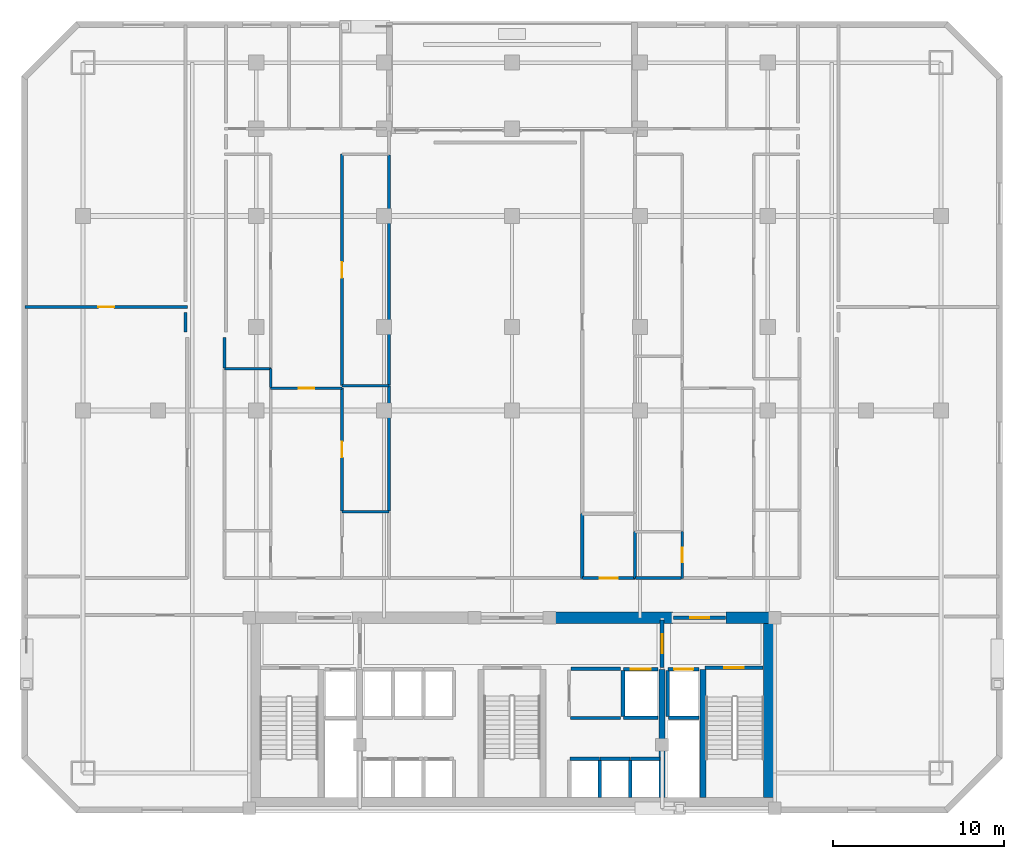
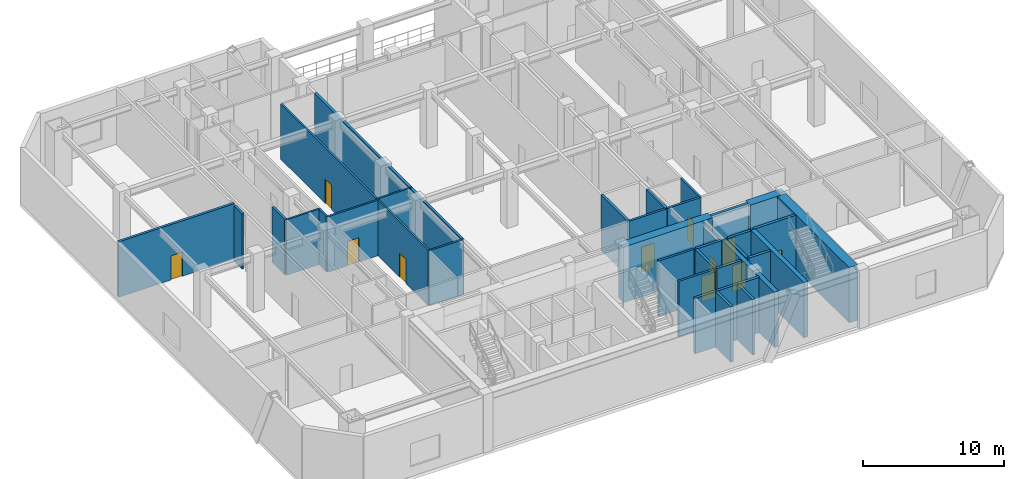
# One storey, part 8 of 12: 38 walls, 11 doors, 11 openings.
"""IFC4 building model written with IfcOpenShell, lengths in metres."""

from ifc_helpers import new_model, si_unit, direction, frame, frame_2d, origin, place, context, subcontext, project, spatial, rectangle, extrude, material, layer, layer_set, type_object, element, fill, save


model = new_model("IFC4")

# Units and contexts
model_context = context("Model", 3, precision=1e-05, world=origin(), true_north=direction((0.0, 1.0)))
body_context = subcontext(model_context, "Body", "Model", "MODEL_VIEW")
ifc_project = project(units=[si_unit("LENGTHUNIT", "METRE"), si_unit("AREAUNIT", "SQUARE_METRE"), si_unit("VOLUMEUNIT", "CUBIC_METRE"), si_unit("PLANEANGLEUNIT", "RADIAN"), si_unit("MASSUNIT", "GRAM", prefix="KILO")], contexts=[model_context])

# Site, building, storey
site_placement = place(None, origin())
site = spatial("IfcSite", under=ifc_project, at=site_placement, CompositionType="ELEMENT")
building_placement = place(site_placement, origin())
building = spatial("IfcBuilding", under=site, at=building_placement, Name="Ventersveld Concourse Tower", CompositionType="ELEMENT")
storey_placement = place(building_placement, frame((0.0, 0.0, 76.0)))
storey = spatial("IfcBuildingStorey", under=building, at=storey_placement, Name="L18", CompositionType="ELEMENT", Elevation=76.0)

# Walls
ifc_material_1 = material(Name="Concrete C60/75", Category="concrete")
ifc_layer_1 = layer(ifc_material_1, 0.35009765625)
ifc_layer_set_1 = layer_set([ifc_layer_1], Name="Concrete C60/75")
wall_type_1 = type_object("IfcWallType", Name="WL-CORE-350L", PredefinedType="SHEAR", material=ifc_layer_set_1)
for number, where, z_axis, x_axis, name in (
    (1, (37.550048828125, 0.919921875, 0.0), (0.0, 0.0, 1.0), (0.0, 1.0, 0.0), "L18 Core Internal Shear Web W-SVL-W"),
    (2, (39.9599609375, 0.919921875, 0.0), (0.0, 0.0, 1.0), (0.0, 1.0, 0.0), "L18 Core Internal Shear Web W-ST2-W"),
):
    element("IfcWall", number, at=place(storey_placement, frame(where, z_axis=z_axis, x_axis=x_axis)), inside=storey, type_object=wall_type_1, Name=name, PredefinedType="SHEAR", context=body_context, shape_type="SweptSolid", body=[
        extrude(rectangle(XDim=7.5, YDim=0.35009765625, at=frame_2d((3.75, 0.0))), origin(), (0.0, 0.0, 1.0), 4.800048828125),
    ])
ifc_layer_2 = layer(ifc_material_1, 0.699951171875)
ifc_layer_set_2 = layer_set([ifc_layer_2], Name="Concrete C60/75")
wall_type_2 = type_object("IfcWallType", Name="WL-CORE-700", PredefinedType="SHEAR", material=ifc_layer_set_2)
wall_1_placement = place(storey_placement, frame((43.85009765625, 0.919921875, 0.0), z_axis=(0.0, 0.0, 1.0), x_axis=(0.0, 1.0, 0.0)))
element("IfcWall", 3, at=wall_1_placement, inside=storey, type_object=wall_type_2, Name="L18 Rear Core East Shear Wall", PredefinedType="SHEAR", context=body_context, shape_type="SweptSolid", body=[
    extrude(rectangle(XDim=10.530029296875, YDim=0.699951171875, at=frame_2d((5.26513671875, 0.0))), origin(), (0.0, 0.0, 1.0), 4.800048828125),
])
wall_2_placement = place(storey_placement, frame((30.89990234375, 11.449951171875, 0.0), z_axis=(0.0, 0.0, 1.0), x_axis=(1.0, 0.0, 0.0)))
element("IfcWall", 4, at=wall_2_placement, inside=storey, type_object=wall_type_2, Name="L18 Rear Core North Shear Wall NMR", PredefinedType="SHEAR", context=body_context, shape_type="SweptSolid", body=[
    extrude(rectangle(XDim=7.300048828125, YDim=0.699951171875, at=frame_2d((3.64990234375, 0.0))), origin(), (0.0, 0.0, 1.0), 4.800048828125),
])
wall_3_placement = place(storey_placement, frame((41.300048828125, 11.449951171875, 0.0), z_axis=(0.0, 0.0, 1.0), x_axis=(1.0, 0.0, 0.0)))
element("IfcWall", 5, at=wall_3_placement, inside=storey, type_object=wall_type_2, Name="L18 Rear Core North Shear Wall NE", PredefinedType="SHEAR", context=body_context, shape_type="SweptSolid", body=[
    extrude(rectangle(XDim=2.949951171875, YDim=0.699951171875, at=frame_2d((1.47509765625, 0.0))), origin(), (0.0, 0.0, 1.0), 4.800048828125),
])
ifc_material_2 = material(Name="Fire-rated autoclaved aerated masonry blockwork", Category="masonry")
ifc_layer_3 = layer(ifc_material_2, 0.179931640625)
ifc_layer_set_3 = layer_set([ifc_layer_3], Name="Fire-rated autoclaved aerated masonry blockwork")
wall_type_3 = type_object("IfcWallType", Name="WL-CORR-180", PredefinedType="PARTITIONING", material=ifc_layer_set_3)
wall_4_placement = place(storey_placement, frame((32.219970703125, 8.4599609375, 0.0), z_axis=(0.0, 0.0, 1.0), x_axis=(1.0, 0.0, 0.0)))
element("IfcWall", 6, at=wall_4_placement, inside=storey, type_object=wall_type_3, Name="L18 Core Top Wall SP-L18-CBAY1", PredefinedType="PARTITIONING", context=body_context, shape_type="SweptSolid", body=[
    extrude(rectangle(XDim=2.880126953125, YDim=0.179931640625, at=frame_2d((1.43994140625, 0.0))), origin(), (0.0, 0.0, 1.0), 4.800048828125),
])
wall_5_placement = place(storey_placement, frame((32.179931640625, 5.570068359375, 0.0), z_axis=(0.0, 0.0, 1.0), x_axis=(1.0, 0.0, 0.0)))
element("IfcWall", 7, at=wall_5_placement, inside=storey, type_object=wall_type_3, Name="L18 Core Bot Wall SP-L18-CBAY1", PredefinedType="PARTITIONING", context=body_context, shape_type="SweptSolid", body=[
    extrude(rectangle(XDim=2.920166015625, YDim=0.179931640625, at=frame_2d((1.4599609375, 0.0))), origin(), (0.0, 0.0, 1.0), 4.800048828125),
])

# Wall, opening, door
wall_6_placement = place(storey_placement, frame((32.89501953125, 13.77001953125, 0.0), z_axis=(0.0, 0.0, 1.0), x_axis=(1.0, 0.0, 0.0)))
wall_6 = element("IfcWall", 8, at=wall_6_placement, inside=storey, type_object=wall_type_3, Name="L18 Interior Partition SP-L18-COR-SP-L18-SGAWC", PredefinedType="PARTITIONING", context=body_context, shape_type="SweptSolid", body=[
    extrude(rectangle(XDim=3.070068359375, YDim=0.179931640625, at=frame_2d((1.53515625, 0.0))), origin(), (0.0, 0.0, 1.0), 4.800048828125),
])
opening_1_placement = place(wall_6_placement, frame((1.010009765625, 0.0, 0.0)))
opening_1 = element("IfcOpeningElement", 9, at=opening_1_placement, cuts=wall_6, Name="Opening ID3", PredefinedType="OPENING", context=body_context, shape_type="SweptSolid", body=[
    extrude(rectangle(XDim=1.050048828125, YDim=2.14990234375, at=frame_2d((0.52490234375, 1.074951171875))), frame((0.0, 0.10009765625, 0.0), z_axis=(0.0, -1.0, 0.0), x_axis=(1.0, 0.0, 0.0)), (0.0, 0.0, 1.0), 0.199951171875),
])
ifc_material_3 = material(Name="Solid-core hardwood veneer timber", Category="wood")
door_type_1 = type_object("IfcDoorType", Name="DR-AWC-105", OperationType="NOTDEFINED", PredefinedType="DOOR", material=ifc_material_3)
door_1_placement = place(opening_1_placement, origin())
door_1 = element("IfcDoor", 10, at=door_1_placement, inside=storey, type_object=door_type_1, Name="L18 Interior Door SP-L18-COR to SP-L18-SGAWC (WD-L18-0848)", OperationType="SINGLE_SWING_RIGHT", OverallHeight=2.14990234375, OverallWidth=1.050048828125, PredefinedType="DOOR", context=body_context, shape_type="SweptSolid", body=[
    extrude(rectangle(XDim=1.050048828125, YDim=2.14990234375, at=frame_2d((0.52490234375, 1.074951171875))), frame((0.0, 0.02490234375, 0.0), z_axis=(0.0, -1.0, 0.0), x_axis=(1.0, 0.0, 0.0)), (0.0, 0.0, 1.0), 0.050048828125),
])
fill(opening_1, door_1)

# Walls
wall_7_placement = place(storey_placement, frame((11.889892578125, 26.089599609375, 0.0), z_axis=(0.0, 0.0, 1.0), x_axis=(0.0, 1.0, 0.0)))
element("IfcWall", 11, at=wall_7_placement, inside=storey, type_object=wall_type_3, Name="L18 Interior Partition SP-L18-COR-SP-L18-18CW-SEML2", PredefinedType="PARTITIONING", context=body_context, shape_type="SweptSolid", body=[
    extrude(rectangle(XDim=1.805419921875, YDim=0.179931640625, at=frame_2d((0.90283203125, 0.0))), origin(), (0.0, 0.0, 1.0), 4.800048828125),
])
wall_8_placement = place(storey_placement, frame((35.9951171875, 13.77001953125, 0.0), z_axis=(0.0, 0.0, 1.0), x_axis=(1.0, 0.0, 0.0)))
element("IfcWall", 12, at=wall_8_placement, inside=storey, type_object=wall_type_3, Name="L18 Interior Partition SP-L18-COR-SP-L18-18CE-BATH", PredefinedType="PARTITIONING", context=body_context, shape_type="SweptSolid", body=[
    extrude(rectangle(XDim=2.706298828125, YDim=0.179931640625, at=frame_2d((1.35302734375, 0.0))), origin(), (0.0, 0.0, 1.0), 4.800048828125),
])
wall_9_placement = place(storey_placement, frame((9.6201171875, 29.344970703125, 0.0), z_axis=(0.0, 0.0, 1.0), x_axis=(0.0, -1.0, 0.0)))
element("IfcWall", 13, at=wall_9_placement, inside=storey, type_object=wall_type_3, Name="L18 Room Enclosure Wall SP-L18-NWLNG1", PredefinedType="PARTITIONING", context=body_context, shape_type="SweptSolid", body=[
    extrude(rectangle(XDim=1.135009765625, YDim=0.179931640625, at=frame_2d((0.5673828125, 0.0))), origin(), (0.0, 0.0, 1.0), 4.800048828125),
])

# Wall, opening, door
ifc_layer_4 = layer(ifc_material_2, 0.199951171875)
ifc_layer_set_4 = layer_set([ifc_layer_4], Name="Fire-rated autoclaved aerated masonry blockwork")
wall_type_4 = type_object("IfcWallType", Name="WL-DEMISE-200", PredefinedType="PARTITIONING", material=ifc_layer_set_4)
wall_10_placement = place(storey_placement, frame((0.2099609375, 29.669921875, 0.0), z_axis=(0.0, 0.0, 1.0), x_axis=(1.0, 0.0, 0.0)))
wall_10 = element("IfcWall", 14, at=wall_10_placement, inside=storey, type_object=wall_type_4, Name="L18 Interior Partition SP-L18-NWLNG1-SP-L18-NWLNG2", PredefinedType="PARTITIONING", context=body_context, shape_type="SweptSolid", body=[
    extrude(rectangle(XDim=9.505126953125, YDim=0.199951171875, at=frame_2d((4.75244140625, 0.0))), origin(), (0.0, 0.0, 1.0), 4.800048828125),
])
opening_2_placement = place(wall_10_placement, frame((4.29248046875, 0.0, 0.0)))
opening_2 = element("IfcOpeningElement", 15, at=opening_2_placement, cuts=wall_10, Name="Opening ID1", PredefinedType="OPENING", context=body_context, shape_type="SweptSolid", body=[
    extrude(rectangle(XDim=0.919921875, YDim=2.10009765625, at=frame_2d((0.4599609375, 1.050048828125))), frame((0.0, 0.10986328125, 0.0), z_axis=(0.0, -1.0, 0.0), x_axis=(1.0, 0.0, 0.0)), (0.0, 0.0, 1.0), 0.219970703125),
])
door_type_2 = type_object("IfcDoorType", Name="DR-ROOM-092", OperationType="NOTDEFINED", PredefinedType="DOOR", material=ifc_material_3)
door_2_placement = place(opening_2_placement, origin())
door_2 = element("IfcDoor", 16, at=door_2_placement, inside=storey, type_object=door_type_2, Name="L18 Interior Door SP-L18-NWLNG1 to SP-L18-NWLNG2 (D-L18-0851)", OperationType="SINGLE_SWING_LEFT", OverallHeight=2.10009765625, OverallWidth=0.919921875, PredefinedType="DOOR", context=body_context, shape_type="SweptSolid", body=[
    extrude(rectangle(XDim=0.919921875, YDim=2.10009765625, at=frame_2d((0.4599609375, 1.050048828125))), frame((0.0, 0.02490234375, 0.0), z_axis=(0.0, -1.0, 0.0), x_axis=(1.0, 0.0, 0.0)), (0.0, 0.0, 1.0), 0.050048828125),
])
fill(opening_2, door_2)

# Walls
wall_11_placement = place(storey_placement, frame((32.860107421875, 13.764892578125, 0.0), z_axis=(0.0, 0.0, 1.0), x_axis=(0.0, 1.0, 0.0)))
element("IfcWall", 17, at=wall_11_placement, inside=storey, type_object=wall_type_4, Name="L18 Interior Partition SP-L18-SGLNG-SP-L18-SGAWC", PredefinedType="PARTITIONING", context=body_context, shape_type="SweptSolid", body=[
    extrude(rectangle(XDim=3.7900390625, YDim=0.199951171875, at=frame_2d((1.89501953125, 0.0))), origin(), (0.0, 0.0, 1.0), 4.800048828125),
])
wall_12_placement = place(storey_placement, frame((21.5400390625, 17.710693359375, 0.0), z_axis=(0.0, 0.0, 1.0), x_axis=(0.0, 1.0, 0.0)))
element("IfcWall", 18, at=wall_12_placement, inside=storey, type_object=wall_type_4, Name="L18 Interior Partition SP-L18-SGLNG-SP-L18-18CW-MEDR1", PredefinedType="PARTITIONING", context=body_context, shape_type="SweptSolid", body=[
    extrude(rectangle(XDim=7.35595703125, YDim=0.199951171875, at=frame_2d((3.677978515625, 0.0))), origin(), (0.0, 0.0, 1.0), 4.800048828125),
])
wall_13_placement = place(storey_placement, frame((21.5400390625, 25.0966796875, 0.0), z_axis=(0.0, 0.0, 1.0), x_axis=(0.0, 1.0, 0.0)))
element("IfcWall", 19, at=wall_13_placement, inside=storey, type_object=wall_type_4, Name="L18 Interior Partition SP-L18-SGLNG-SP-L18-18CW-DENS", PredefinedType="PARTITIONING", context=body_context, shape_type="SweptSolid", body=[
    extrude(rectangle(XDim=13.48828125, YDim=0.199951171875, at=frame_2d((6.744140625, 0.0))), origin(), (0.0, 0.0, 1.0), 4.800048828125),
])
wall_14_placement = place(storey_placement, frame((35.9599609375, 13.764892578125, 0.0), z_axis=(0.0, 0.0, 1.0), x_axis=(0.0, 1.0, 0.0)))
element("IfcWall", 20, at=wall_14_placement, inside=storey, type_object=wall_type_4, Name="L18 Interior Partition SP-L18-SGAWC-SP-L18-18CE-BATH", PredefinedType="PARTITIONING", context=body_context, shape_type="SweptSolid", body=[
    extrude(rectangle(XDim=2.732177734375, YDim=0.199951171875, at=frame_2d((1.3662109375, 0.0))), origin(), (0.0, 0.0, 1.0), 4.800048828125),
])
ifc_layer_5 = layer(ifc_material_2, 0.219970703125)
ifc_layer_set_5 = layer_set([ifc_layer_5], Name="Fire-rated autoclaved aerated masonry blockwork")
wall_type_5 = type_object("IfcWallType", Name="WL-HOIST-220", PredefinedType="SOLIDWALL", material=ifc_layer_set_5)
wall_15_placement = place(storey_placement, frame((37.919921875, 5.590087890625, 0.0), z_axis=(0.0, 0.0, 1.0), x_axis=(1.0, 0.0, 0.0)))
element("IfcWall", 21, at=wall_15_placement, inside=storey, type_object=wall_type_5, Name="L18 Lift Hoistway Back Wall FFL-02", PredefinedType="SOLIDWALL", context=body_context, shape_type="SweptSolid", body=[
    extrude(rectangle(XDim=1.780029296875, YDim=0.219970703125, at=frame_2d((0.89013671875, 0.0))), origin(), (0.0, 0.0, 1.0), 4.800048828125),
])
wall_16_placement = place(storey_placement, frame((37.8798828125, 5.64990234375, 0.0), z_axis=(0.0, 0.0, 1.0), x_axis=(0.0, 1.0, 0.0)))
element("IfcWall", 22, at=wall_16_placement, inside=storey, type_object=wall_type_5, Name="L18 Lift Hoistway Side Wall FFL-02W", PredefinedType="SOLIDWALL", context=body_context, shape_type="SweptSolid", body=[
    extrude(rectangle(XDim=2.7001953125, YDim=0.219970703125, at=frame_2d((1.35009765625, 0.0))), origin(), (0.0, 0.0, 1.0), 4.800048828125),
])

# Wall, opening, door
wall_17_placement = place(storey_placement, frame((37.89990234375, 8.429931640625, 0.0), z_axis=(0.0, 0.0, 1.0), x_axis=(1.0, 0.0, 0.0)))
wall_17 = element("IfcWall", 23, at=wall_17_placement, inside=storey, type_object=wall_type_5, Name="L18 Lift Hoistway Front Wall FFL-02", PredefinedType="SOLIDWALL", context=body_context, shape_type="SweptSolid", body=[
    extrude(rectangle(XDim=1.820068359375, YDim=0.219970703125, at=frame_2d((0.91015625, 0.0))), origin(), (0.0, 0.0, 1.0), 4.800048828125),
])
opening_3_placement = place(wall_17_placement, frame((0.35009765625, 0.0, 0.0)))
opening_3 = element("IfcOpeningElement", 24, at=opening_3_placement, cuts=wall_17, Name="Opening LD1", PredefinedType="OPENING", context=body_context, shape_type="SweptSolid", body=[
    extrude(rectangle(XDim=1.1201171875, YDim=2.25, at=frame_2d((0.56005859375, 1.125))), frame((0.0, 0.1201171875, 0.0), z_axis=(0.0, -1.0, 0.0), x_axis=(1.0, 0.0, 0.0)), (0.0, 0.0, 1.0), 0.239990234375),
])
ifc_material_4 = material(Name="Brushed stainless steel 316", Category="steel")
door_type_3 = type_object("IfcDoorType", Name="LD-FF-112", OperationType="SLIDING_TO_LEFT", PredefinedType="DOOR", material=ifc_material_4)
door_3_placement = place(opening_3_placement, origin())
door_3 = element("IfcDoor", 25, at=door_3_placement, inside=storey, type_object=door_type_3, Name="L18 Lift landing door FFL-02 (LD-L18-FFL-02)", OperationType="SLIDING_TO_RIGHT", OverallHeight=2.25, OverallWidth=1.1201171875, PredefinedType="DOOR", context=body_context, shape_type="SweptSolid", body=[
    extrude(rectangle(XDim=1.1201171875, YDim=2.25, at=frame_2d((0.56005859375, 1.125))), frame((0.0, 0.02490234375, 0.0), z_axis=(0.0, -1.0, 0.0), x_axis=(1.0, 0.0, 0.0)), (0.0, 0.0, 1.0), 0.050048828125),
])
fill(opening_3, door_3)

# Walls
wall_18_placement = place(storey_placement, frame((35.300048828125, 5.590087890625, 0.0), z_axis=(0.0, 0.0, 1.0), x_axis=(1.0, 0.0, 0.0)))
element("IfcWall", 26, at=wall_18_placement, inside=storey, type_object=wall_type_5, Name="L18 Lift Hoistway Back Wall SVL-01", PredefinedType="SOLIDWALL", context=body_context, shape_type="SweptSolid", body=[
    extrude(rectangle(XDim=2.0, YDim=0.219970703125, at=frame_2d((1.0, 0.0))), origin(), (0.0, 0.0, 1.0), 4.800048828125),
])
wall_19_placement = place(storey_placement, frame((35.260009765625, 5.64990234375, 0.0), z_axis=(0.0, 0.0, 1.0), x_axis=(0.0, 1.0, 0.0)))
element("IfcWall", 27, at=wall_19_placement, inside=storey, type_object=wall_type_5, Name="L18 Lift Hoistway Side Wall SVL-01W", PredefinedType="SOLIDWALL", context=body_context, shape_type="SweptSolid", body=[
    extrude(rectangle(XDim=2.7001953125, YDim=0.219970703125, at=frame_2d((1.35009765625, 0.0))), origin(), (0.0, 0.0, 1.0), 4.800048828125),
])

# Wall, opening, door
wall_20_placement = place(storey_placement, frame((35.280029296875, 8.429931640625, 0.0), z_axis=(0.0, 0.0, 1.0), x_axis=(1.0, 0.0, 0.0)))
wall_20 = element("IfcWall", 28, at=wall_20_placement, inside=storey, type_object=wall_type_5, Name="L18 Lift Hoistway Front Wall SVL-01", PredefinedType="SOLIDWALL", context=body_context, shape_type="SweptSolid", body=[
    extrude(rectangle(XDim=2.0400390625, YDim=0.219970703125, at=frame_2d((1.02001953125, 0.0))), origin(), (0.0, 0.0, 1.0), 4.800048828125),
])
opening_4_placement = place(wall_20_placement, frame((0.429931640625, 0.0, 0.0)))
opening_4 = element("IfcOpeningElement", 29, at=opening_4_placement, cuts=wall_20, Name="Opening LD2", PredefinedType="OPENING", context=body_context, shape_type="SweptSolid", body=[
    extrude(rectangle(XDim=1.179931640625, YDim=2.199951171875, at=frame_2d((0.58984375, 1.10009765625))), frame((0.0, 0.1201171875, 0.0), z_axis=(0.0, -1.0, 0.0), x_axis=(1.0, 0.0, 0.0)), (0.0, 0.0, 1.0), 0.239990234375),
])
door_type_4 = type_object("IfcDoorType", Name="LD-PAX-118", OperationType="SLIDING_TO_LEFT", PredefinedType="DOOR", material=ifc_material_4)
door_4_placement = place(opening_4_placement, origin())
door_4 = element("IfcDoor", 30, at=door_4_placement, inside=storey, type_object=door_type_4, Name="L18 Lift landing door SVL-01 (LD-L18-SVL-01)", OperationType="SLIDING_TO_LEFT", OverallHeight=2.199951171875, OverallWidth=1.179931640625, PredefinedType="DOOR", context=body_context, shape_type="SweptSolid", body=[
    extrude(rectangle(XDim=1.179931640625, YDim=2.199951171875, at=frame_2d((0.58984375, 1.10009765625))), frame((0.0, 0.02490234375, 0.0), z_axis=(0.0, -1.0, 0.0), x_axis=(1.0, 0.0, 0.0)), (0.0, 0.0, 1.0), 0.050048828125),
])
fill(opening_4, door_4)

# Walls
wall_21_placement = place(storey_placement, frame((33.89990234375, 0.89990234375, 0.0), z_axis=(0.0, 0.0, 1.0), x_axis=(0.0, 1.0, 0.0)))
element("IfcWall", 31, at=wall_21_placement, inside=storey, type_object=wall_type_5, Name="L18 Lift Hoistway Side Wall PM-01E", PredefinedType="SOLIDWALL", context=body_context, shape_type="SweptSolid", body=[
    extrude(rectangle(XDim=2.2001953125, YDim=0.219970703125, at=frame_2d((1.10009765625, 0.0))), origin(), (0.0, 0.0, 1.0), 4.800048828125),
])
wall_22_placement = place(storey_placement, frame((32.139892578125, 3.179931640625, 0.0), z_axis=(0.0, 0.0, 1.0), x_axis=(1.0, 0.0, 0.0)))
element("IfcWall", 32, at=wall_22_placement, inside=storey, type_object=wall_type_5, Name="L18 Lift Hoistway Front Wall PM-01", PredefinedType="SOLIDWALL", context=body_context, shape_type="SweptSolid", body=[
    extrude(rectangle(XDim=1.739990234375, YDim=0.219970703125, at=frame_2d((0.8701171875, 0.0))), origin(), (0.0, 0.0, 1.0), 4.800048828125),
])
wall_23_placement = place(storey_placement, frame((35.679931640625, 0.89990234375, 0.0), z_axis=(0.0, 0.0, 1.0), x_axis=(0.0, 1.0, 0.0)))
element("IfcWall", 33, at=wall_23_placement, inside=storey, type_object=wall_type_5, Name="L18 Lift Hoistway Side Wall PM-02E", PredefinedType="SOLIDWALL", context=body_context, shape_type="SweptSolid", body=[
    extrude(rectangle(XDim=2.2001953125, YDim=0.219970703125, at=frame_2d((1.10009765625, 0.0))), origin(), (0.0, 0.0, 1.0), 4.800048828125),
])
for number, where, z_axis, x_axis, name in (
    (34, (33.919921875, 3.179931640625, 0.0), (0.0, 0.0, 1.0), (1.0, 0.0, 0.0), "L18 Lift Hoistway Front Wall PM-02"),
    (35, (35.699951171875, 3.179931640625, 0.0), (0.0, 0.0, 1.0), (1.0, 0.0, 0.0), "L18 Lift Hoistway Front Wall PM-03"),
):
    element("IfcWall", number, at=place(storey_placement, frame(where, z_axis=z_axis, x_axis=x_axis)), inside=storey, type_object=wall_type_5, Name=name, PredefinedType="SOLIDWALL", context=body_context, shape_type="SweptSolid", body=[
        extrude(rectangle(XDim=1.739990234375, YDim=0.219970703125, at=frame_2d((0.8701171875, 0.0))), origin(), (0.0, 0.0, 1.0), 4.800048828125),
    ])

# Wall, opening, door
wall_24_placement = place(storey_placement, frame((40.06005859375, 8.52001953125, 0.0), z_axis=(0.0, 0.0, 1.0), x_axis=(1.0, 0.0, 0.0)))
wall_24 = element("IfcWall", 36, at=wall_24_placement, inside=storey, type_object=wall_type_5, Name="L18 Escape Stair ST02 Fire Wall", PredefinedType="SOLIDWALL", context=body_context, shape_type="SweptSolid", body=[
    extrude(rectangle(XDim=3.39990234375, YDim=0.219970703125, at=frame_2d((1.699951171875, 0.0))), origin(), (0.0, 0.0, 1.0), 4.800048828125),
])
opening_5_placement = place(wall_24_placement, frame((1.125, 0.0, 0.0)))
opening_5 = element("IfcOpeningElement", 37, at=opening_5_placement, cuts=wall_24, Name="Opening FD1", PredefinedType="OPENING", context=body_context, shape_type="SweptSolid", body=[
    extrude(rectangle(XDim=1.14990234375, YDim=2.199951171875, at=frame_2d((0.574951171875, 1.10009765625))), frame((0.0, 0.1201171875, 0.0), z_axis=(0.0, -1.0, 0.0), x_axis=(1.0, 0.0, 0.0)), (0.0, 0.0, 1.0), 0.239990234375),
])
ifc_material_5 = material(Name="Galvanised painted steel", Category="steel")
door_type_5 = type_object("IfcDoorType", Name="DR-STAIR-115", OperationType="NOTDEFINED", PredefinedType="DOOR", material=ifc_material_5)
door_5_placement = place(opening_5_placement, origin())
door_5 = element("IfcDoor", 38, at=door_5_placement, inside=storey, type_object=door_type_5, Name="L18 Escape Stair Door ST02 (SD-L18-0835)", OperationType="SINGLE_SWING_RIGHT", OverallHeight=2.199951171875, OverallWidth=1.14990234375, PredefinedType="DOOR", context=body_context, shape_type="SweptSolid", body=[
    extrude(rectangle(XDim=1.14990234375, YDim=2.199951171875, at=frame_2d((0.574951171875, 1.10009765625))), frame((0.0, 0.02490234375, 0.0), z_axis=(0.0, -1.0, 0.0), x_axis=(1.0, 0.0, 0.0)), (0.0, 0.0, 1.0), 0.050048828125),
])
fill(opening_5, door_5)

wall_25_placement = place(storey_placement, frame((37.550048828125, 8.52001953125, 0.0), z_axis=(0.0, 0.0, 1.0), x_axis=(0.0, 1.0, 0.0)))
wall_25 = element("IfcWall", 39, at=wall_25_placement, inside=storey, type_object=wall_type_5, Name="L18 Firefighting Lobby Smoke-Stop Wall FFLE-SEP", PredefinedType="SOLIDWALL", context=body_context, shape_type="SweptSolid", body=[
    extrude(rectangle(XDim=2.800048828125, YDim=0.219970703125, at=frame_2d((1.39990234375, 0.0))), origin(), (0.0, 0.0, 1.0), 4.255615234375),
])
opening_6_placement = place(wall_25_placement, frame((0.85009765625, 0.0, 0.0)))
opening_6 = element("IfcOpeningElement", 40, at=opening_6_placement, cuts=wall_25, Name="Opening FD2", PredefinedType="OPENING", context=body_context, shape_type="SweptSolid", body=[
    extrude(rectangle(XDim=1.10009765625, YDim=2.199951171875, at=frame_2d((0.550048828125, 1.10009765625))), frame((0.0, 0.1201171875, 0.0), z_axis=(0.0, -1.0, 0.0), x_axis=(1.0, 0.0, 0.0)), (0.0, 0.0, 1.0), 0.239990234375),
])
door_type_6 = type_object("IfcDoorType", Name="DR-FFL-110", OperationType="NOTDEFINED", PredefinedType="DOOR", material=ifc_material_5)
door_6_placement = place(opening_6_placement, origin())
door_6 = element("IfcDoor", 41, at=door_6_placement, inside=storey, type_object=door_type_6, Name="L18 Firefighting Lobby Door FFLE-SEP (FD-L18-0838)", OperationType="SINGLE_SWING_RIGHT", OverallHeight=2.199951171875, OverallWidth=1.10009765625, PredefinedType="DOOR", context=body_context, shape_type="SweptSolid", body=[
    extrude(rectangle(XDim=1.10009765625, YDim=2.199951171875, at=frame_2d((0.550048828125, 1.10009765625))), frame((0.0, 0.02490234375, 0.0), z_axis=(0.0, -1.0, 0.0), x_axis=(1.0, 0.0, 0.0)), (0.0, 0.0, 1.0), 0.050048828125),
])
fill(opening_6, door_6)

wall_26_placement = place(storey_placement, frame((38.22998046875, 11.449951171875, 0.0), z_axis=(0.0, 0.0, 1.0), x_axis=(1.0, 0.0, 0.0)))
wall_26 = element("IfcWall", 42, at=wall_26_placement, inside=storey, type_object=wall_type_5, Name="L18 Core North Fire Portal FFLE-OUT", PredefinedType="SOLIDWALL", context=body_context, shape_type="SweptSolid", body=[
    extrude(rectangle(XDim=3.0400390625, YDim=0.219970703125, at=frame_2d((1.52001953125, 0.0))), origin(), (0.0, 0.0, 1.0), 4.800048828125),
])
opening_7_placement = place(wall_26_placement, frame((0.969970703125, 0.0, 0.0)))
opening_7 = element("IfcOpeningElement", 43, at=opening_7_placement, cuts=wall_26, Name="Opening FD2", PredefinedType="OPENING", context=body_context, shape_type="SweptSolid", body=[
    extrude(rectangle(XDim=1.10009765625, YDim=2.199951171875, at=frame_2d((0.550048828125, 1.10009765625))), frame((0.0, 0.1201171875, 0.0), z_axis=(0.0, -1.0, 0.0), x_axis=(1.0, 0.0, 0.0)), (0.0, 0.0, 1.0), 0.239990234375),
])
door_7_placement = place(opening_7_placement, origin())
door_7 = element("IfcDoor", 44, at=door_7_placement, inside=storey, type_object=door_type_6, Name="L18 Core Lobby Fire Door FFLE-OUT (FD-L18-0841)", OperationType="SINGLE_SWING_LEFT", OverallHeight=2.199951171875, OverallWidth=1.10009765625, PredefinedType="DOOR", context=body_context, shape_type="SweptSolid", body=[
    extrude(rectangle(XDim=1.10009765625, YDim=2.199951171875, at=frame_2d((0.550048828125, 1.10009765625))), frame((0.0, 0.02490234375, 0.0), z_axis=(0.0, -1.0, 0.0), x_axis=(1.0, 0.0, 0.0)), (0.0, 0.0, 1.0), 0.050048828125),
])
fill(opening_7, door_7)

ifc_material_6 = material(Name="Autoclaved aerated masonry blockwork", Category="masonry")
ifc_layer_6 = layer(ifc_material_6, 0.14990234375)
ifc_layer_set_6 = layer_set([ifc_layer_6], Name="Autoclaved aerated masonry blockwork")
wall_type_6 = type_object("IfcWallType", Name="WL-INT-150", PredefinedType="PARTITIONING", material=ifc_layer_set_6)
wall_27_placement = place(storey_placement, frame((14.602294921875, 24.911865234375, 0.0), z_axis=(0.0, 0.0, 1.0), x_axis=(1.0, 0.0, 0.0)))
wall_27 = element("IfcWall", 45, at=wall_27_placement, inside=storey, type_object=wall_type_6, Name="L18 Interior Partition SP-L18-18CW-FOY-SP-L18-18CW-LIV", PredefinedType="PARTITIONING", context=body_context, shape_type="SweptSolid", body=[
    extrude(rectangle(XDim=4.18603515625, YDim=0.14990234375, at=frame_2d((2.093017578125, 0.0))), origin(), (0.0, 0.0, 1.0), 4.800048828125),
])
opening_8_placement = place(wall_27_placement, frame((1.633056640625, 0.0, 0.0)))
opening_8 = element("IfcOpeningElement", 46, at=opening_8_placement, cuts=wall_27, Name="Opening ID1", PredefinedType="OPENING", context=body_context, shape_type="SweptSolid", body=[
    extrude(rectangle(XDim=0.919921875, YDim=2.10009765625, at=frame_2d((0.4599609375, 1.050048828125))), frame((0.0, 0.0849609375, 0.0), z_axis=(0.0, -1.0, 0.0), x_axis=(1.0, 0.0, 0.0)), (0.0, 0.0, 1.0), 0.169921875),
])
door_8_placement = place(opening_8_placement, origin())
door_8 = element("IfcDoor", 47, at=door_8_placement, inside=storey, type_object=door_type_2, Name="L18 Interior Door SP-L18-18CW-FOY to SP-L18-18CW-LIV (D-L18-0854)", OperationType="SINGLE_SWING_RIGHT", OverallHeight=2.10009765625, OverallWidth=0.919921875, PredefinedType="DOOR", context=body_context, shape_type="SweptSolid", body=[
    extrude(rectangle(XDim=0.919921875, YDim=2.10009765625, at=frame_2d((0.4599609375, 1.050048828125))), frame((0.0, 0.02490234375, 0.0), z_axis=(0.0, -1.0, 0.0), x_axis=(1.0, 0.0, 0.0)), (0.0, 0.0, 1.0), 0.050048828125),
])
fill(opening_8, door_8)

wall_28_placement = place(storey_placement, frame((18.783447265625, 17.710693359375, 0.0), z_axis=(0.0, 0.0, 1.0), x_axis=(0.0, 1.0, 0.0)))
wall_28 = element("IfcWall", 48, at=wall_28_placement, inside=storey, type_object=wall_type_6, Name="L18 Interior Partition SP-L18-18CW-FOY-SP-L18-18CW-MEDR1", PredefinedType="PARTITIONING", context=body_context, shape_type="SweptSolid", body=[
    extrude(rectangle(XDim=7.206298828125, YDim=0.14990234375, at=frame_2d((3.60302734375, 0.0))), origin(), (0.0, 0.0, 1.0), 4.800048828125),
])
opening_9_placement = place(wall_28_placement, frame((3.14306640625, 0.0, 0.0)))
opening_9 = element("IfcOpeningElement", 49, at=opening_9_placement, cuts=wall_28, Name="Opening ID1", PredefinedType="OPENING", context=body_context, shape_type="SweptSolid", body=[
    extrude(rectangle(XDim=0.919921875, YDim=2.10009765625, at=frame_2d((0.4599609375, 1.050048828125))), frame((0.0, 0.0849609375, 0.0), z_axis=(0.0, -1.0, 0.0), x_axis=(1.0, 0.0, 0.0)), (0.0, 0.0, 1.0), 0.169921875),
])
door_9_placement = place(opening_9_placement, origin())
door_9 = element("IfcDoor", 50, at=door_9_placement, inside=storey, type_object=door_type_2, Name="L18 Interior Door SP-L18-18CW-FOY to SP-L18-18CW-MEDR1 (D-L18-0858)", OperationType="SINGLE_SWING_RIGHT", OverallHeight=2.10009765625, OverallWidth=0.919921875, PredefinedType="DOOR", context=body_context, shape_type="SweptSolid", body=[
    extrude(rectangle(XDim=0.919921875, YDim=2.10009765625, at=frame_2d((0.4599609375, 1.050048828125))), frame((0.0, 0.02490234375, 0.0), z_axis=(0.0, -1.0, 0.0), x_axis=(1.0, 0.0, 0.0)), (0.0, 0.0, 1.0), 0.050048828125),
])
fill(opening_9, door_9)

# Wall
wall_29_placement = place(storey_placement, frame((14.607177734375, 24.947021484375, 0.0), z_axis=(0.0, 0.0, 1.0), x_axis=(0.0, 1.0, 0.0)))
element("IfcWall", 51, at=wall_29_placement, inside=storey, type_object=wall_type_6, Name="L18 Interior Partition SP-L18-18CW-LIV-SP-L18-18CW-OFFL0", PredefinedType="PARTITIONING", context=body_context, shape_type="SweptSolid", body=[
    extrude(rectangle(XDim=1.112548828125, YDim=0.14990234375, at=frame_2d((0.55615234375, 0.0))), origin(), (0.0, 0.0, 1.0), 4.800048828125),
])

# Wall, opening, door
wall_30_placement = place(storey_placement, frame((18.783447265625, 25.056640625, 0.0), z_axis=(0.0, 0.0, 1.0), x_axis=(0.0, 1.0, 0.0)))
wall_30 = element("IfcWall", 52, at=wall_30_placement, inside=storey, type_object=wall_type_6, Name="L18 Interior Partition SP-L18-18CW-LIV-SP-L18-18CW-DENS", PredefinedType="PARTITIONING", context=body_context, shape_type="SweptSolid", body=[
    extrude(rectangle(XDim=13.568359375, YDim=0.14990234375, at=frame_2d((6.7841796875, 0.0))), origin(), (0.0, 0.0, 1.0), 4.800048828125),
])
opening_10_placement = place(wall_30_placement, frame((6.32421875, 0.0, 0.0)))
opening_10 = element("IfcOpeningElement", 53, at=opening_10_placement, cuts=wall_30, Name="Opening ID1", PredefinedType="OPENING", context=body_context, shape_type="SweptSolid", body=[
    extrude(rectangle(XDim=0.919921875, YDim=2.10009765625, at=frame_2d((0.4599609375, 1.050048828125))), frame((0.0, 0.0849609375, 0.0), z_axis=(0.0, -1.0, 0.0), x_axis=(1.0, 0.0, 0.0)), (0.0, 0.0, 1.0), 0.169921875),
])
door_10_placement = place(opening_10_placement, origin())
door_10 = element("IfcDoor", 54, at=door_10_placement, inside=storey, type_object=door_type_2, Name="L18 Interior Door SP-L18-18CW-LIV to SP-L18-18CW-DENS (D-L18-0860)", OperationType="SINGLE_SWING_RIGHT", OverallHeight=2.10009765625, OverallWidth=0.919921875, PredefinedType="DOOR", context=body_context, shape_type="SweptSolid", body=[
    extrude(rectangle(XDim=0.919921875, YDim=2.10009765625, at=frame_2d((0.4599609375, 1.050048828125))), frame((0.0, 0.02490234375, 0.0), z_axis=(0.0, -1.0, 0.0), x_axis=(1.0, 0.0, 0.0)), (0.0, 0.0, 1.0), 0.050048828125),
])
fill(opening_10, door_10)

# Walls
wall_31_placement = place(storey_placement, frame((11.885009765625, 26.054443359375, 0.0), z_axis=(0.0, 0.0, 1.0), x_axis=(1.0, 0.0, 0.0)))
element("IfcWall", 55, at=wall_31_placement, inside=storey, type_object=wall_type_6, Name="L18 Interior Partition SP-L18-18CW-OFFL0-SP-L18-18CW-SEML2", PredefinedType="PARTITIONING", context=body_context, shape_type="SweptSolid", body=[
    extrude(rectangle(XDim=2.727294921875, YDim=0.14990234375, at=frame_2d((1.36376953125, 0.0))), origin(), (0.0, 0.0, 1.0), 4.800048828125),
])
for number, where, z_axis, x_axis, name in (
    (56, (18.7783203125, 17.67578125, 0.0), (0.0, 0.0, 1.0), (1.0, 0.0, 0.0), "L18 Interior Partition SP-L18-18CW-KIT-SP-L18-18CW-MEDR1"),
    (57, (18.7783203125, 25.0615234375, 0.0), (0.0, 0.0, 1.0), (1.0, 0.0, 0.0), "L18 Interior Partition SP-L18-18CW-MEDR1-SP-L18-18CW-DENS"),
):
    element("IfcWall", number, at=place(storey_placement, frame(where, z_axis=z_axis, x_axis=x_axis)), inside=storey, type_object=wall_type_6, Name=name, PredefinedType="PARTITIONING", context=body_context, shape_type="SweptSolid", body=[
        extrude(rectangle(XDim=2.7666015625, YDim=0.14990234375, at=frame_2d((1.38330078125, 0.0))), origin(), (0.0, 0.0, 1.0), 4.800048828125),
    ])

# Wall, opening, door
ifc_layer_7 = layer(ifc_material_6, 0.1650390625)
ifc_layer_set_7 = layer_set([ifc_layer_7], Name="Autoclaved aerated masonry blockwork")
wall_type_7 = type_object("IfcWallType", Name="WL-WET-165", PredefinedType="PLUMBINGWALL", material=ifc_layer_set_7)
wall_32_placement = place(storey_placement, frame((38.736328125, 13.764892578125, 0.0), z_axis=(0.0, 0.0, 1.0), x_axis=(0.0, 1.0, 0.0)))
wall_32 = element("IfcWall", 58, at=wall_32_placement, inside=storey, type_object=wall_type_7, Name="L18 Interior Partition SP-L18-18CE-FOY-SP-L18-18CE-BATH", PredefinedType="PLUMBINGWALL", context=body_context, shape_type="SweptSolid", body=[
    extrude(rectangle(XDim=2.732177734375, YDim=0.1650390625, at=frame_2d((1.3662109375, 0.0))), origin(), (0.0, 0.0, 1.0), 4.800048828125),
])
opening_11_placement = place(wall_32_placement, frame((0.94091796875, 0.0, 0.0)))
opening_11 = element("IfcOpeningElement", 59, at=opening_11_placement, cuts=wall_32, Name="Opening ID2", PredefinedType="OPENING", context=body_context, shape_type="SweptSolid", body=[
    extrude(rectangle(XDim=0.85009765625, YDim=2.10009765625, at=frame_2d((0.425048828125, 1.050048828125))), frame((0.0, 0.092529296875, 0.0), z_axis=(0.0, -1.0, 0.0), x_axis=(1.0, 0.0, 0.0)), (0.0, 0.0, 1.0), 0.18505859375),
])
door_type_7 = type_object("IfcDoorType", Name="DR-BATH-085", OperationType="NOTDEFINED", PredefinedType="DOOR", material=ifc_material_3)
door_11_placement = place(opening_11_placement, origin())
door_11 = element("IfcDoor", 60, at=door_11_placement, inside=storey, type_object=door_type_7, Name="L18 Interior Door SP-L18-18CE-FOY to SP-L18-18CE-BATH (D-L18-0865)", OperationType="SINGLE_SWING_LEFT", OverallHeight=2.10009765625, OverallWidth=0.85009765625, PredefinedType="DOOR", context=body_context, shape_type="SweptSolid", body=[
    extrude(rectangle(XDim=0.85009765625, YDim=2.10009765625, at=frame_2d((0.425048828125, 1.050048828125))), frame((0.0, 0.02490234375, 0.0), z_axis=(0.0, -1.0, 0.0), x_axis=(1.0, 0.0, 0.0)), (0.0, 0.0, 1.0), 0.050048828125),
])
fill(opening_11, door_11)

save(model, "model.ifc")
